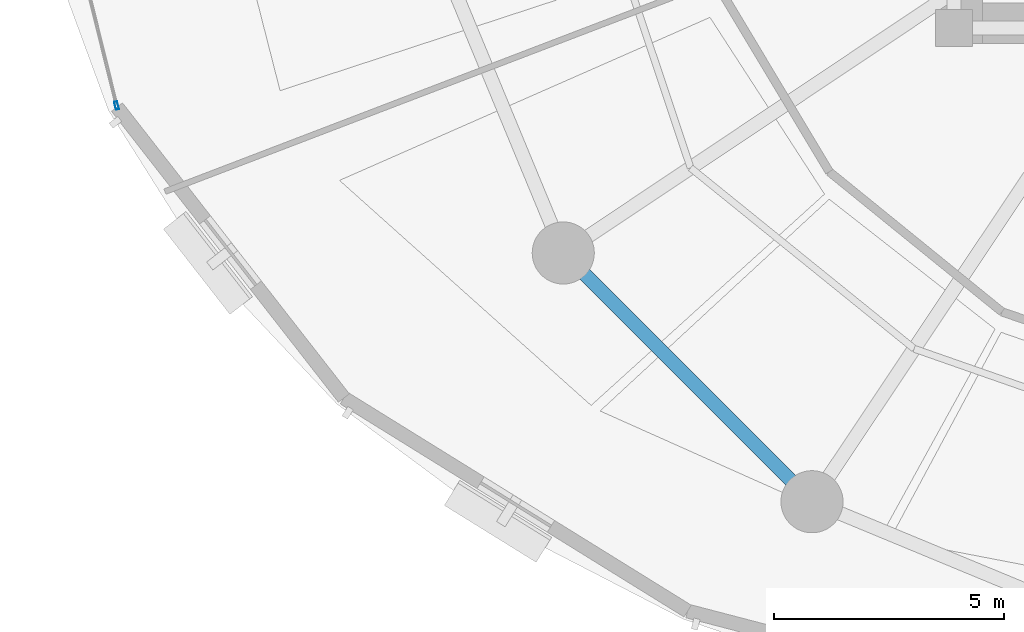
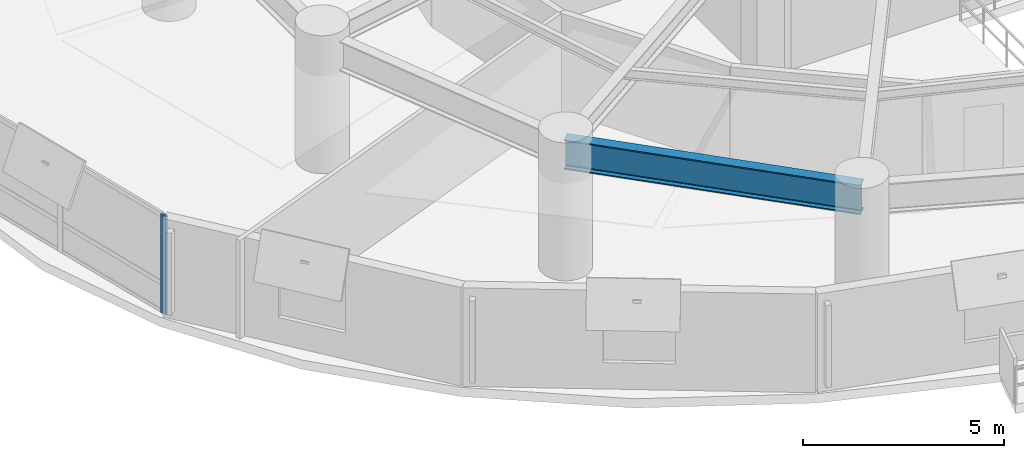
# One storey, part 2 of 17: 1 beam, 1 member, 1 element without a shape of its own.
"""IFC4 building model written with IfcOpenShell, lengths in metres."""

from ifc_helpers import new_model, si_unit, direction, frame, origin, origin_2d, place, context, subcontext, project, spatial, hollow_rectangle, i_section, extrude, material, layer, layer_set, material_profile, profile_set, type_object, element, aggregate, save


model = new_model("IFC4")

# Units and contexts
model_context = context("Model", 3, precision=1e-05, world=origin(), true_north=direction((0.0, 1.0)))
body_context = subcontext(model_context, "Body", "Model", "MODEL_VIEW")
ifc_project = project(units=[si_unit("LENGTHUNIT", "METRE"), si_unit("AREAUNIT", "SQUARE_METRE"), si_unit("VOLUMEUNIT", "CUBIC_METRE"), si_unit("PLANEANGLEUNIT", "RADIAN"), si_unit("MASSUNIT", "GRAM", prefix="KILO"), si_unit("THERMODYNAMICTEMPERATUREUNIT", "KELVIN"), si_unit("POWERUNIT", "WATT")], contexts=[model_context])

# Site, building, storey
site_placement = place(None, origin())
site = spatial("IfcSite", under=ifc_project, at=site_placement, CompositionType="ELEMENT")
building_placement = place(site_placement, origin())
building = spatial("IfcBuilding", under=site, at=building_placement, Name="Ocrelia Relay Tower", CompositionType="ELEMENT")
storey_placement = place(building_placement, frame((0.0, 0.0, 34.199951171875)))
storey = spatial("IfcBuildingStorey", under=building, at=storey_placement, Name="L07", CompositionType="ELEMENT", Elevation=34.199951171875)

# Beam
ifc_material_1 = material(Name="Steel S355", Category="steel")
ifc_material_profile_1 = material_profile(ifc_material_1, i_section(OverallWidth=0.300048828125, OverallDepth=0.89990234375, WebThickness=0.0185546875, FlangeThickness=0.034912109375, FilletRadius=0.030029296875, at=origin_2d()), Name="HEB 900")
ifc_profile_set_1 = profile_set([ifc_material_profile_1], Name="Steel S355")
beam_type = type_object("IfcBeamType", Name="BM-HEB900", PredefinedType="BEAM", material=ifc_profile_set_1)
beam_placement = place(storey_placement, frame((17.703125, 15.11083984375, 3.469970703125), z_axis=(0.707106781187, -0.707106781187, 0.0), x_axis=(0.707106781187, 0.707106781187, 0.0)))
element("IfcBeam", 1, at=beam_placement, inside=storey, type_object=beam_type, Name="L07 Perimeter Spandrel Beam S10", PredefinedType="BEAM", context=body_context, shape_type="SweptSolid", body=[
    extrude(i_section(OverallWidth=0.300048828125, OverallDepth=0.89990234375, WebThickness=0.0185546875, FlangeThickness=0.034912109375, FilletRadius=0.030029296875, at=origin_2d()), origin(), (0.0, 0.0, 1.0), 7.647705078125),
])

# Curtain wall, member
ifc_material_2 = material(Name="Aluminium and solar-control low-E glass", Category="aluminium")
ifc_layer = layer(ifc_material_2, 0.179931640625, Name="Aluminium and solar-control low-E glass")
ifc_layer_set = layer_set([ifc_layer], Name="Aluminium and solar-control low-E glass")
curtain_wall_type = type_object("IfcCurtainWallType", Name="CW-SYS-Z1-DATA", PredefinedType="NOTDEFINED", material=ifc_layer_set)
curtain_wall_placement = place(storey_placement, origin())
curtain_wall = element("IfcCurtainWall", 2, at=curtain_wall_placement, inside=storey, type_object=curtain_wall_type, Name="L07 Elliptical Tower Curtain Wall Bay 10", PredefinedType="NOTDEFINED")
ifc_material_3 = material(Name="Anodised bronze aluminium", Category="aluminium")
ifc_material_profile_2 = material_profile(ifc_material_3, hollow_rectangle(XDim=0.070068359375, YDim=0.179931640625, WallThickness=0.006103515625, at=origin_2d()), Name="CW-MUL-180x70")
ifc_profile_set_2 = profile_set([ifc_material_profile_2], Name="Anodised bronze aluminium")
member_type = type_object("IfcMemberType", Name="CW-SYS-Z1-DATA-MUL", PredefinedType="MULLION", material=ifc_profile_set_2)
member_placement = place(storey_placement, frame((7.992431640625, 18.31689453125, 0.0), z_axis=(0.0, 0.0, 1.0), x_axis=(0.970674438779, 0.240397865841, 0.0)))
member = element("IfcMember", 3, at=member_placement, type_object=member_type, Name="CW-Z1 mullion 3", PredefinedType="MULLION", context=body_context, shape_type="SweptSolid", body=[
    extrude(hollow_rectangle(XDim=0.070068359375, YDim=0.179931640625, WallThickness=0.006103515625, at=origin_2d()), origin(), (0.0, 0.0, 1.0), 3.0),
])
aggregate(curtain_wall, [member])

save(model, "model.ifc")
